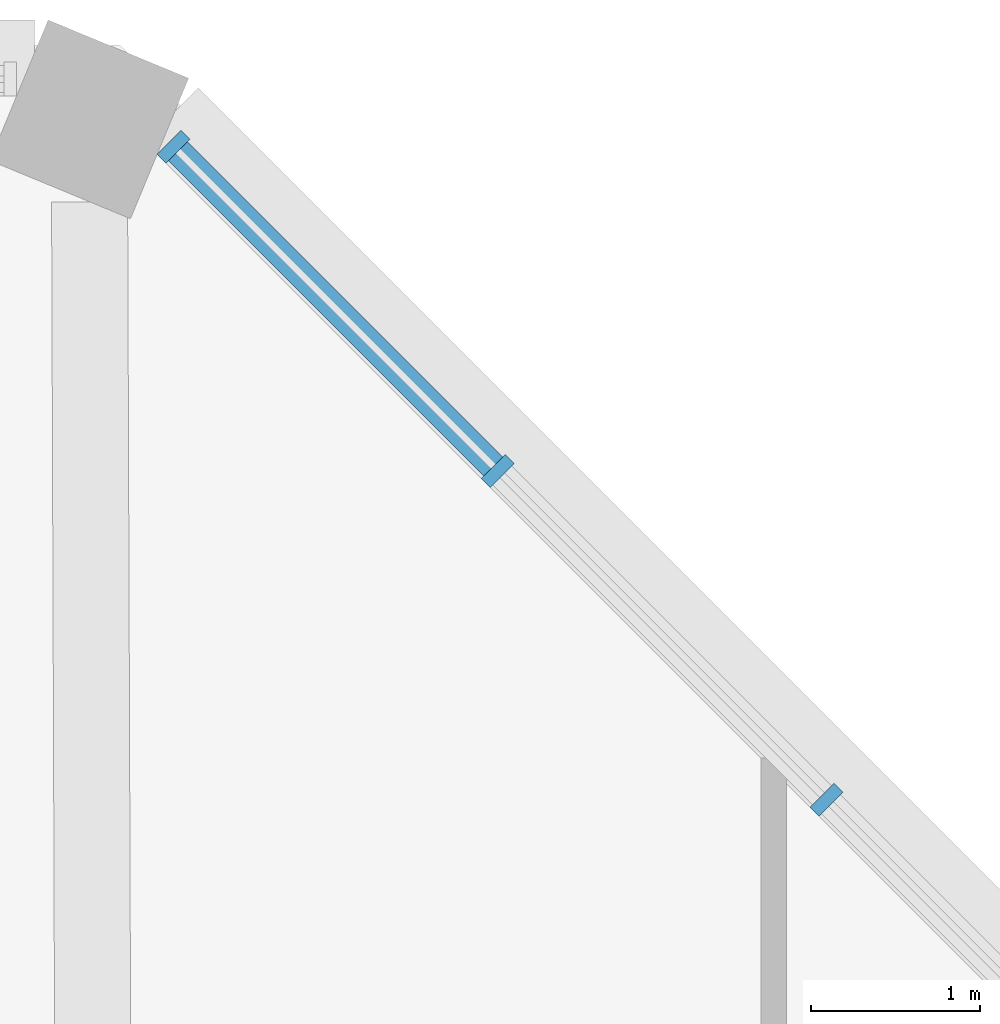
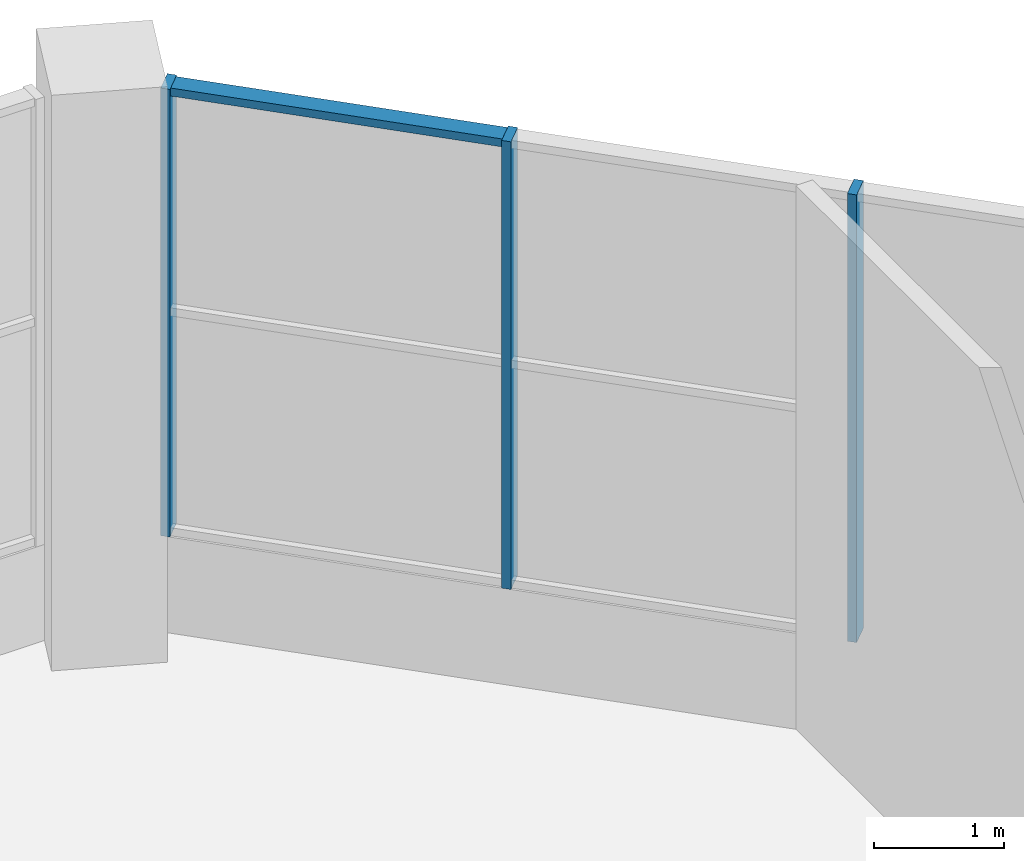
# One storey, part 8 of 15: 4 members, 1 element without a shape of its own.
"""IFC4 building model written with IfcOpenShell, lengths in metres."""

from ifc_helpers import new_model, si_unit, direction, frame, origin, origin_2d, place, context, subcontext, project, spatial, rectangle, extrude, material, material_profile, profile_set, type_object, element, aggregate, save


model = new_model("IFC4")

# Units and contexts
model_context = context("Model", 3, precision=1e-05, world=origin(), true_north=direction((0.0, 1.0)))
body_context = subcontext(model_context, "Body", "Model", "MODEL_VIEW")
ifc_project = project(units=[si_unit("LENGTHUNIT", "METRE"), si_unit("AREAUNIT", "SQUARE_METRE"), si_unit("VOLUMEUNIT", "CUBIC_METRE"), si_unit("PLANEANGLEUNIT", "RADIAN"), si_unit("MASSUNIT", "GRAM", prefix="KILO")], contexts=[model_context])

# Site, building, storey
site_placement = place(None, origin())
site = spatial("IfcSite", under=ifc_project, at=site_placement, CompositionType="ELEMENT")
building_placement = place(site_placement, origin())
building = spatial("IfcBuilding", under=site, at=building_placement, Name="Msitu Wima Residences", CompositionType="ELEMENT")
storey_placement = place(building_placement, frame((0.0, 0.0, 314.699951171875)))
storey = spatial("IfcBuildingStorey", under=building, at=storey_placement, Name="L73", CompositionType="ELEMENT", Elevation=314.699951171875)

# Curtain wall, members
ifc_material_1 = material(Name="Anodised aluminium, bronze finish, solar control laminated double glazing", Category="aluminium")
curtain_wall_type = type_object("IfcCurtainWallType", Name="Curtain wall CW3 top lounge wall", PredefinedType="NOTDEFINED", material=ifc_material_1)
curtain_wall_placement = place(storey_placement, origin())
curtain_wall = element("IfcCurtainWall", 1, at=curtain_wall_placement, inside=storey, type_object=curtain_wall_type, Name="Curtain wall CW3 L73 NE1", PredefinedType="NOTDEFINED")
ifc_material_2 = material(Name="Anodised aluminium, bronze finish", Category="aluminium")
ifc_material_profile_1 = material_profile(ifc_material_2, rectangle(XDim=0.199951171875, YDim=0.074951171875, at=origin_2d()), Name="Mullion 75x200")
ifc_profile_set_1 = profile_set([ifc_material_profile_1], Name="Anodised aluminium, bronze finish")
member_type_1 = type_object("IfcMemberType", Name="Mullion CW3 75x200", PredefinedType="MULLION", material=ifc_profile_set_1)
member_1_placement = place(storey_placement, frame((17.710693359375, 22.236572265625, 0.900146484375), z_axis=(0.0, 0.0, 1.0), x_axis=(-0.707106720591, -0.707106841783, 0.0)))
member_1 = element("IfcMember", 2, at=member_1_placement, type_object=member_type_1, Name="CW3 mullion 2", PredefinedType="MULLION", context=body_context, shape_type="SweptSolid", body=[
    extrude(rectangle(XDim=0.199951171875, YDim=0.074951171875, at=origin_2d()), origin(), (0.0, 0.0, 1.0), 4.199951171875),
])
member_2_placement = place(storey_placement, frame((15.765869140625, 24.181396484375, 0.900146484375), z_axis=(0.0, 0.0, 1.0), x_axis=(-0.707106720591, -0.707106841783, 0.0)))
member_2 = element("IfcMember", 3, at=member_2_placement, type_object=member_type_1, Name="CW3 mullion 3", PredefinedType="MULLION", context=body_context, shape_type="SweptSolid", body=[
    extrude(rectangle(XDim=0.199951171875, YDim=0.074951171875, at=origin_2d()), origin(), (0.0, 0.0, 1.0), 4.199951171875),
])
member_3_placement = place(storey_placement, frame((13.847412109375, 26.099853515625, 0.900146484375), z_axis=(0.0, 0.0, 1.0), x_axis=(-0.707106720591, -0.707106841783, 0.0)))
member_3 = element("IfcMember", 4, at=member_3_placement, type_object=member_type_1, Name="CW3 mullion 4", PredefinedType="MULLION", context=body_context, shape_type="SweptSolid", body=[
    extrude(rectangle(XDim=0.199951171875, YDim=0.074951171875, at=origin_2d()), origin(), (0.0, 0.0, 1.0), 4.199951171875),
])
ifc_material_profile_2 = material_profile(ifc_material_2, rectangle(XDim=0.159912109375, YDim=0.074951171875, at=origin_2d()), Name="Transom 75x160")
ifc_profile_set_2 = profile_set([ifc_material_profile_2], Name="Anodised aluminium, bronze finish")
member_type_2 = type_object("IfcMemberType", Name="Transom CW3 75x160", PredefinedType="USERDEFINED", material=ifc_profile_set_2)
member_4_placement = place(storey_placement, frame((15.7392578125, 24.2080078125, 5.0625), z_axis=(-0.707106781187, 0.707106781187, 0.0), x_axis=(-0.707106781187, -0.707106781187, 0.0)))
member_4 = element("IfcMember", 5, at=member_4_placement, type_object=member_type_2, Name="CW3 transom 3.3", ObjectType="TRANSOM", PredefinedType="USERDEFINED", context=body_context, shape_type="SweptSolid", body=[
    extrude(rectangle(XDim=0.159912109375, YDim=0.074951171875, at=origin_2d()), origin(), (0.0, 0.0, 1.0), 2.637939453125),
])
aggregate(curtain_wall, [member_1, member_2, member_3, member_4])

save(model, "model.ifc")
